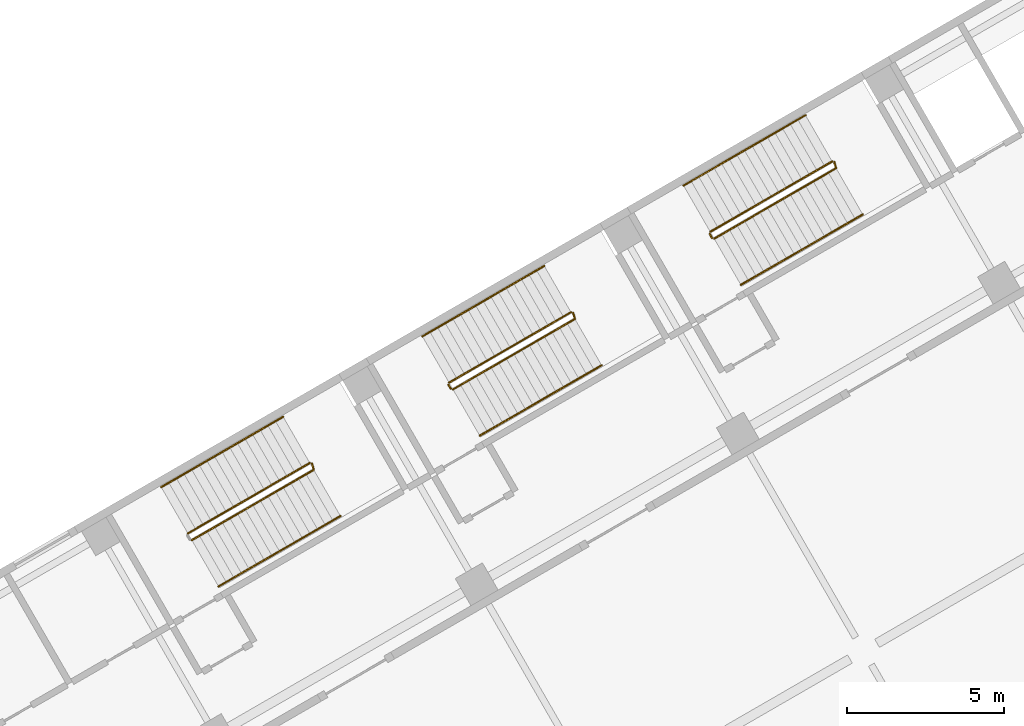
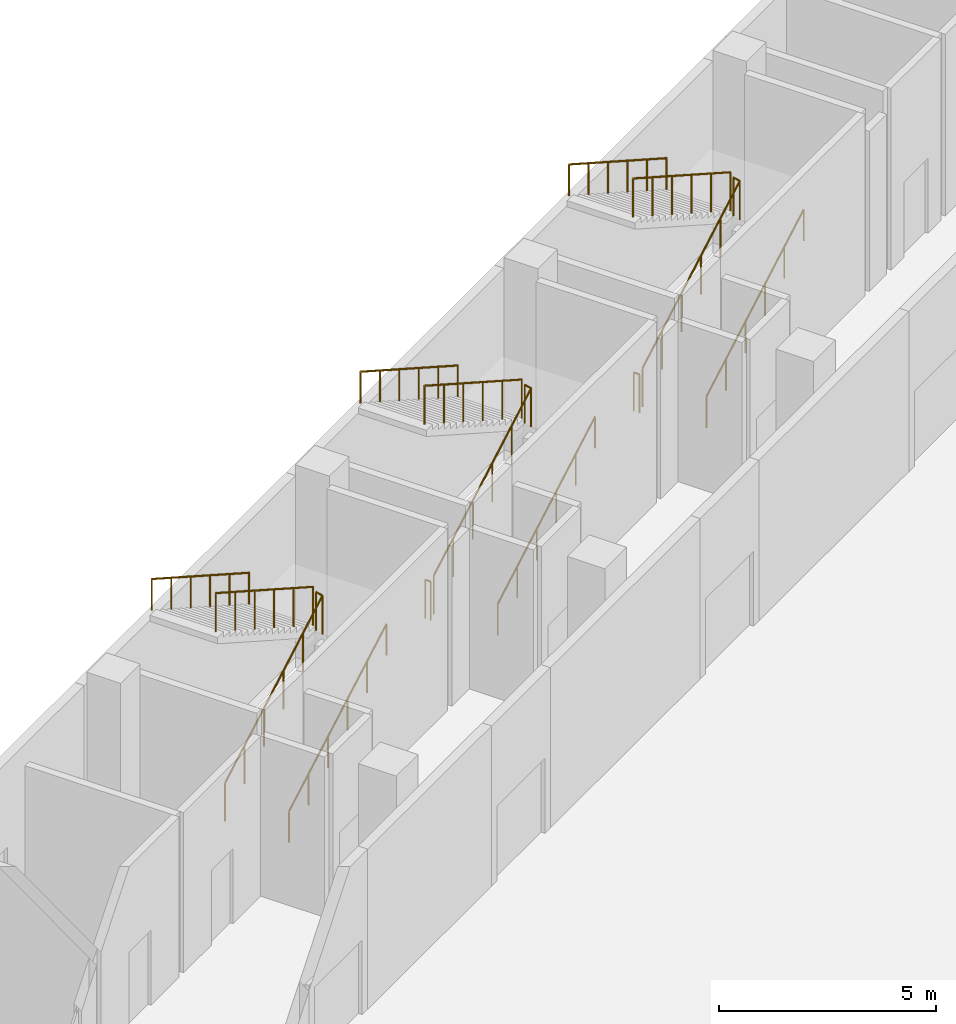
# One storey, part 34 of 35: 14 railings.
"""IFC4 building model written with IfcOpenShell, lengths in metres."""

from ifc_helpers import new_model, si_unit, direction, frame, origin, origin_2d, place, context, subcontext, project, spatial, circle, extrude, material, type_object, element, save


model = new_model("IFC4")

# Units and contexts
model_context = context("Model", 3, precision=1e-05, world=origin(), true_north=direction((0.0, 1.0)))
body_context = subcontext(model_context, "Body", "Model", "MODEL_VIEW")
ifc_project = project(units=[si_unit("LENGTHUNIT", "METRE"), si_unit("AREAUNIT", "SQUARE_METRE"), si_unit("VOLUMEUNIT", "CUBIC_METRE"), si_unit("PLANEANGLEUNIT", "RADIAN"), si_unit("MASSUNIT", "GRAM", prefix="KILO")], contexts=[model_context])

# Site, building, storey
site_placement = place(None, origin())
site = spatial("IfcSite", under=ifc_project, at=site_placement, CompositionType="ELEMENT")
building_placement = place(site_placement, origin())
building = spatial("IfcBuilding", under=site, at=building_placement, Name="Mestral Congress Tower", CompositionType="ELEMENT")
storey_placement = place(building_placement, frame((0.0, 0.0, 6.0)))
storey = spatial("IfcBuildingStorey", under=building, at=storey_placement, Name="L01", CompositionType="ELEMENT", Elevation=6.0)

# Railings
ifc_material_1 = material(Name="Steel balustrade", Category="steel")
railing_type_1 = type_object("IfcRailingType", Name="Podium stair guard 1100", PredefinedType="GUARDRAIL", material=ifc_material_1)
railing_1_placement = place(storey_placement, frame((14.014892578125, 51.681396484375, 0.158935546875)))
element("IfcRailing", 1, at=railing_1_placement, inside=storey, type_object=railing_type_1, Name="L01 PS-E4 stair guard 1", PredefinedType="GUARDRAIL", context=body_context, shape_type="SweptSolid", body=[
    extrude(circle(Radius=0.02392578125, at=origin_2d()), frame((0.0, 0.0, 1.076171875), z_axis=(0.753299937478, 0.434906048726, 0.493351733531), x_axis=(-0.499989762656, 0.866031314237, 0.0)), (0.0, 0.0, 1.0), 5.150634765625),
    extrude(circle(Radius=0.02392578125, at=origin_2d()), frame((3.8798828125, 2.239990234375, 3.6171875), z_axis=(-0.274721127897, 0.961523947641, 0.0), x_axis=(-0.961523947641, -0.274721127897, 0.0)), (0.0, 0.0, 1.0), 0.2060546875),
    extrude(circle(Radius=0.02099609375, at=origin_2d()), origin(), (0.0, 0.0, 1.0), 1.052001953125),
    extrude(circle(Radius=0.02099609375, at=origin_2d()), frame((0.77587890625, 0.447998046875, 0.50830078125)), (0.0, 0.0, 1.0), 1.052001953125),
    extrude(circle(Radius=0.02099609375, at=origin_2d()), frame((1.552001953125, 0.89599609375, 1.016357421875)), (0.0, 0.0, 1.0), 1.052001953125),
    extrude(circle(Radius=0.02099609375, at=origin_2d()), frame((2.327880859375, 1.343994140625, 1.524658203125)), (0.0, 0.0, 1.0), 1.052001953125),
    extrude(circle(Radius=0.02099609375, at=origin_2d()), frame((3.10400390625, 1.7919921875, 2.03271484375)), (0.0, 0.0, 1.0), 1.052001953125),
    extrude(circle(Radius=0.02099609375, at=origin_2d()), frame((3.8798828125, 2.239990234375, 2.541015625)), (0.0, 0.0, 1.0), 1.052001953125),
    extrude(circle(Radius=0.02099609375, at=origin_2d()), frame((3.8232421875, 2.438232421875, 2.541015625)), (0.0, 0.0, 1.0), 1.052001953125),
])
railing_2_placement = place(storey_placement, frame((17.769775390625, 54.137939453125, 2.85888671875)))
element("IfcRailing", 2, at=railing_2_placement, inside=storey, type_object=railing_type_1, Name="L01 PS-E4 stair guard 2", PredefinedType="GUARDRAIL", context=body_context, shape_type="SweptSolid", body=[
    extrude(circle(Radius=0.02392578125, at=origin_2d()), frame((0.0, 0.0, 1.076171875), z_axis=(-0.753299937478, -0.434906048726, 0.493351733531), x_axis=(0.499989762656, -0.866031314237, 0.0)), (0.0, 0.0, 1.0), 5.150634765625),
    extrude(circle(Radius=0.02099609375, at=origin_2d()), origin(), (0.0, 0.0, 1.0), 1.052001953125),
    extrude(circle(Radius=0.02099609375, at=origin_2d()), frame((-0.77587890625, -0.447998046875, 0.50830078125)), (0.0, 0.0, 1.0), 1.052001953125),
    extrude(circle(Radius=0.02099609375, at=origin_2d()), frame((-1.552001953125, -0.89599609375, 1.016357421875)), (0.0, 0.0, 1.0), 1.052001953125),
    extrude(circle(Radius=0.02099609375, at=origin_2d()), frame((-2.327880859375, -1.343994140625, 1.524658203125)), (0.0, 0.0, 1.0), 1.052001953125),
    extrude(circle(Radius=0.02099609375, at=origin_2d()), frame((-3.10400390625, -1.7919921875, 2.03271484375)), (0.0, 0.0, 1.0), 1.052001953125),
    extrude(circle(Radius=0.02099609375, at=origin_2d()), frame((-3.8798828125, -2.239990234375, 2.541015625)), (0.0, 0.0, 1.0), 1.052001953125),
])
railing_3_placement = place(storey_placement, frame((22.328857421875, 56.4814453125, 0.158935546875)))
element("IfcRailing", 3, at=railing_3_placement, inside=storey, type_object=railing_type_1, Name="L01 PS-E5 stair guard 1", PredefinedType="GUARDRAIL", context=body_context, shape_type="SweptSolid", body=[
    extrude(circle(Radius=0.02392578125, at=origin_2d()), frame((0.0, 0.0, 1.076171875), z_axis=(0.7532794335, 0.434921578401, 0.49336935019), x_axis=(-0.500013360201, 0.866017690131, 0.0)), (0.0, 0.0, 1.0), 5.150390625),
    extrude(circle(Radius=0.02392578125, at=origin_2d()), frame((3.879638671875, 2.239990234375, 3.6171875), z_axis=(-0.274721127897, 0.961523947641, 0.0), x_axis=(-0.961523947641, -0.274721127897, 0.0)), (0.0, 0.0, 1.0), 0.2060546875),
    extrude(circle(Radius=0.02099609375, at=origin_2d()), origin(), (0.0, 0.0, 1.0), 1.052001953125),
    extrude(circle(Radius=0.02099609375, at=origin_2d()), frame((0.77587890625, 0.447998046875, 0.50830078125)), (0.0, 0.0, 1.0), 1.052001953125),
    extrude(circle(Radius=0.02099609375, at=origin_2d()), frame((1.5517578125, 0.89599609375, 1.016357421875)), (0.0, 0.0, 1.0), 1.052001953125),
    extrude(circle(Radius=0.02099609375, at=origin_2d()), frame((2.327880859375, 1.343994140625, 1.524658203125)), (0.0, 0.0, 1.0), 1.052001953125),
    extrude(circle(Radius=0.02099609375, at=origin_2d()), frame((3.103759765625, 1.7919921875, 2.03271484375)), (0.0, 0.0, 1.0), 1.052001953125),
    extrude(circle(Radius=0.02099609375, at=origin_2d()), frame((3.879638671875, 2.239990234375, 2.541015625)), (0.0, 0.0, 1.0), 1.052001953125),
    extrude(circle(Radius=0.02099609375, at=origin_2d()), frame((3.822998046875, 2.438232421875, 2.541015625)), (0.0, 0.0, 1.0), 1.052001953125),
])
railing_4_placement = place(storey_placement, frame((26.08349609375, 58.93798828125, 2.85888671875)))
element("IfcRailing", 4, at=railing_4_placement, inside=storey, type_object=railing_type_1, Name="L01 PS-E5 stair guard 2", PredefinedType="GUARDRAIL", context=body_context, shape_type="SweptSolid", body=[
    extrude(circle(Radius=0.02392578125, at=origin_2d()), frame((0.0, 0.0, 1.076171875), z_axis=(-0.7532794335, -0.434921578401, 0.49336935019), x_axis=(0.500013360201, -0.866017690131, 0.0)), (0.0, 0.0, 1.0), 5.150390625),
    extrude(circle(Radius=0.02099609375, at=origin_2d()), origin(), (0.0, 0.0, 1.0), 1.052001953125),
    extrude(circle(Radius=0.02099609375, at=origin_2d()), frame((-0.77587890625, -0.447998046875, 0.50830078125)), (0.0, 0.0, 1.0), 1.052001953125),
    extrude(circle(Radius=0.02099609375, at=origin_2d()), frame((-1.5517578125, -0.89599609375, 1.016357421875)), (0.0, 0.0, 1.0), 1.052001953125),
    extrude(circle(Radius=0.02099609375, at=origin_2d()), frame((-2.327880859375, -1.343994140625, 1.524658203125)), (0.0, 0.0, 1.0), 1.052001953125),
    extrude(circle(Radius=0.02099609375, at=origin_2d()), frame((-3.103759765625, -1.7919921875, 2.03271484375)), (0.0, 0.0, 1.0), 1.052001953125),
    extrude(circle(Radius=0.02099609375, at=origin_2d()), frame((-3.879638671875, -2.239990234375, 2.541015625)), (0.0, 0.0, 1.0), 1.052001953125),
])
railing_5_placement = place(storey_placement, frame((22.260498046875, 56.499755859375, 0.0)))
element("IfcRailing", 5, at=railing_5_placement, inside=storey, type_object=railing_type_1, Name="L01 PS-E5 stair guard 3", PredefinedType="GUARDRAIL", context=body_context, shape_type="SweptSolid", body=[
    extrude(circle(Radius=0.02392578125, at=origin_2d()), frame((0.0, 0.0, 1.076171875), z_axis=(-0.499816412211, 0.866131372301, 0.0), x_axis=(-0.866131372301, -0.499816412211, 0.0)), (0.0, 0.0, 1.0), 0.14990234375),
    extrude(circle(Radius=0.02099609375, at=origin_2d()), origin(), (0.0, 0.0, 1.0), 1.052001953125),
    extrude(circle(Radius=0.02099609375, at=origin_2d()), frame((-0.074951171875, 0.1298828125, 0.0)), (0.0, 0.0, 1.0), 1.052001953125),
])
railing_6_placement = place(storey_placement, frame((30.642578125, 61.281494140625, 0.158935546875)))
element("IfcRailing", 6, at=railing_6_placement, inside=storey, type_object=railing_type_1, Name="L01 PS-E6 stair guard 1", PredefinedType="GUARDRAIL", context=body_context, shape_type="SweptSolid", body=[
    extrude(circle(Radius=0.02392578125, at=origin_2d()), frame((0.0, 0.0, 1.076171875), z_axis=(0.753299937478, 0.434906048726, 0.493351733531), x_axis=(-0.499989762656, 0.866031314237, 0.0)), (0.0, 0.0, 1.0), 5.150634765625),
    extrude(circle(Radius=0.02392578125, at=origin_2d()), frame((3.8798828125, 2.239990234375, 3.6171875), z_axis=(-0.275815366736, 0.96121063429, 0.0), x_axis=(-0.96121063429, -0.275815366736, 0.0)), (0.0, 0.0, 1.0), 0.206298828125),
    extrude(circle(Radius=0.02099609375, at=origin_2d()), origin(), (0.0, 0.0, 1.0), 1.052001953125),
    extrude(circle(Radius=0.02099609375, at=origin_2d()), frame((0.77587890625, 0.447998046875, 0.50830078125)), (0.0, 0.0, 1.0), 1.052001953125),
    extrude(circle(Radius=0.02099609375, at=origin_2d()), frame((1.552001953125, 0.89599609375, 1.016357421875)), (0.0, 0.0, 1.0), 1.052001953125),
    extrude(circle(Radius=0.02099609375, at=origin_2d()), frame((2.327880859375, 1.343994140625, 1.524658203125)), (0.0, 0.0, 1.0), 1.052001953125),
    extrude(circle(Radius=0.02099609375, at=origin_2d()), frame((3.10400390625, 1.7919921875, 2.03271484375)), (0.0, 0.0, 1.0), 1.052001953125),
    extrude(circle(Radius=0.02099609375, at=origin_2d()), frame((3.8798828125, 2.239990234375, 2.541015625)), (0.0, 0.0, 1.0), 1.052001953125),
    extrude(circle(Radius=0.02099609375, at=origin_2d()), frame((3.822998046875, 2.438232421875, 2.541015625)), (0.0, 0.0, 1.0), 1.052001953125),
])
railing_7_placement = place(storey_placement, frame((34.3974609375, 63.738037109375, 2.85888671875)))
element("IfcRailing", 7, at=railing_7_placement, inside=storey, type_object=railing_type_1, Name="L01 PS-E6 stair guard 2", PredefinedType="GUARDRAIL", context=body_context, shape_type="SweptSolid", body=[
    extrude(circle(Radius=0.02392578125, at=origin_2d()), frame((0.0, 0.0, 1.076171875), z_axis=(-0.753299937478, -0.434906048726, 0.493351733531), x_axis=(0.499989762656, -0.866031314237, 0.0)), (0.0, 0.0, 1.0), 5.150634765625),
    extrude(circle(Radius=0.02099609375, at=origin_2d()), origin(), (0.0, 0.0, 1.0), 1.052001953125),
    extrude(circle(Radius=0.02099609375, at=origin_2d()), frame((-0.77587890625, -0.447998046875, 0.50830078125)), (0.0, 0.0, 1.0), 1.052001953125),
    extrude(circle(Radius=0.02099609375, at=origin_2d()), frame((-1.552001953125, -0.89599609375, 1.016357421875)), (0.0, 0.0, 1.0), 1.052001953125),
    extrude(circle(Radius=0.02099609375, at=origin_2d()), frame((-2.327880859375, -1.343994140625, 1.524658203125)), (0.0, 0.0, 1.0), 1.052001953125),
    extrude(circle(Radius=0.02099609375, at=origin_2d()), frame((-3.10400390625, -1.7919921875, 2.03271484375)), (0.0, 0.0, 1.0), 1.052001953125),
    extrude(circle(Radius=0.02099609375, at=origin_2d()), frame((-3.8798828125, -2.239990234375, 2.541015625)), (0.0, 0.0, 1.0), 1.052001953125),
])
railing_8_placement = place(storey_placement, frame((30.57421875, 61.2998046875, 0.0)))
element("IfcRailing", 8, at=railing_8_placement, inside=storey, type_object=railing_type_1, Name="L01 PS-E6 stair guard 3", PredefinedType="GUARDRAIL", context=body_context, shape_type="SweptSolid", body=[
    extrude(circle(Radius=0.02392578125, at=origin_2d()), frame((0.0, 0.0, 1.076171875), z_axis=(-0.499816412211, 0.866131372301, 0.0), x_axis=(-0.866131372301, -0.499816412211, 0.0)), (0.0, 0.0, 1.0), 0.14990234375),
    extrude(circle(Radius=0.02099609375, at=origin_2d()), origin(), (0.0, 0.0, 1.0), 1.052001953125),
    extrude(circle(Radius=0.02099609375, at=origin_2d()), frame((-0.074951171875, 0.1298828125, 0.0)), (0.0, 0.0, 1.0), 1.052001953125),
])
ifc_material_2 = material(Name="Steel handrail", Category="steel")
railing_type_2 = type_object("IfcRailingType", Name="Podium stair handrail 900", PredefinedType="HANDRAIL", material=ifc_material_2)
railing_9_placement = place(storey_placement, frame((14.864990234375, 50.209228515625, 0.158935546875)))
element("IfcRailing", 9, at=railing_9_placement, inside=storey, type_object=railing_type_2, Name="L01 PS-E4 stair handrail 1", PredefinedType="HANDRAIL", context=body_context, shape_type="SweptSolid", body=[
    extrude(circle(Radius=0.02392578125, at=origin_2d()), frame((0.0, 0.0, 0.8759765625), z_axis=(0.7532794335, 0.434921578401, 0.49336935019), x_axis=(-0.500013360201, 0.866017690131, 0.0)), (0.0, 0.0, 1.0), 5.150390625),
    extrude(circle(Radius=0.02099609375, at=origin_2d()), origin(), (0.0, 0.0, 1.0), 0.851806640625),
    extrude(circle(Radius=0.02099609375, at=origin_2d()), frame((0.77587890625, 0.447998046875, 0.50830078125)), (0.0, 0.0, 1.0), 0.851806640625),
    extrude(circle(Radius=0.02099609375, at=origin_2d()), frame((1.5517578125, 0.89599609375, 1.016357421875)), (0.0, 0.0, 1.0), 0.851806640625),
    extrude(circle(Radius=0.02099609375, at=origin_2d()), frame((2.327880859375, 1.343994140625, 1.524658203125)), (0.0, 0.0, 1.0), 0.851806640625),
    extrude(circle(Radius=0.02099609375, at=origin_2d()), frame((3.103759765625, 1.7919921875, 2.03271484375)), (0.0, 0.0, 1.0), 0.851806640625),
    extrude(circle(Radius=0.02099609375, at=origin_2d()), frame((3.879638671875, 2.239990234375, 2.541015625)), (0.0, 0.0, 1.0), 0.851806640625),
])
railing_10_placement = place(storey_placement, frame((16.919677734375, 55.610107421875, 2.85888671875)))
element("IfcRailing", 10, at=railing_10_placement, inside=storey, type_object=railing_type_2, Name="L01 PS-E4 stair handrail 2", PredefinedType="HANDRAIL", context=body_context, shape_type="SweptSolid", body=[
    extrude(circle(Radius=0.02392578125, at=origin_2d()), frame((0.0, 0.0, 0.8759765625), z_axis=(-0.7532794335, -0.434921578401, 0.49336935019), x_axis=(0.500013360201, -0.866017690131, 0.0)), (0.0, 0.0, 1.0), 5.150390625),
    extrude(circle(Radius=0.02099609375, at=origin_2d()), origin(), (0.0, 0.0, 1.0), 0.851806640625),
    extrude(circle(Radius=0.02099609375, at=origin_2d()), frame((-0.77587890625, -0.447998046875, 0.50830078125)), (0.0, 0.0, 1.0), 0.851806640625),
    extrude(circle(Radius=0.02099609375, at=origin_2d()), frame((-1.5517578125, -0.89599609375, 1.016357421875)), (0.0, 0.0, 1.0), 0.851806640625),
    extrude(circle(Radius=0.02099609375, at=origin_2d()), frame((-2.327880859375, -1.343994140625, 1.524658203125)), (0.0, 0.0, 1.0), 0.851806640625),
    extrude(circle(Radius=0.02099609375, at=origin_2d()), frame((-3.103759765625, -1.7919921875, 2.03271484375)), (0.0, 0.0, 1.0), 0.851806640625),
    extrude(circle(Radius=0.02099609375, at=origin_2d()), frame((-3.879638671875, -2.239990234375, 2.541015625)), (0.0, 0.0, 1.0), 0.851806640625),
])
railing_11_placement = place(storey_placement, frame((23.1787109375, 55.00927734375, 0.158935546875)))
element("IfcRailing", 11, at=railing_11_placement, inside=storey, type_object=railing_type_2, Name="L01 PS-E5 stair handrail 1", PredefinedType="HANDRAIL", context=body_context, shape_type="SweptSolid", body=[
    extrude(circle(Radius=0.02392578125, at=origin_2d()), frame((0.0, 0.0, 0.8759765625), z_axis=(0.753299937478, 0.434906048726, 0.493351733531), x_axis=(-0.499989762656, 0.866031314237, 0.0)), (0.0, 0.0, 1.0), 5.150634765625),
    extrude(circle(Radius=0.02099609375, at=origin_2d()), origin(), (0.0, 0.0, 1.0), 0.851806640625),
    extrude(circle(Radius=0.02099609375, at=origin_2d()), frame((0.77587890625, 0.447998046875, 0.50830078125)), (0.0, 0.0, 1.0), 0.851806640625),
    extrude(circle(Radius=0.02099609375, at=origin_2d()), frame((1.552001953125, 0.89599609375, 1.016357421875)), (0.0, 0.0, 1.0), 0.851806640625),
    extrude(circle(Radius=0.02099609375, at=origin_2d()), frame((2.327880859375, 1.343994140625, 1.524658203125)), (0.0, 0.0, 1.0), 0.851806640625),
    extrude(circle(Radius=0.02099609375, at=origin_2d()), frame((3.10400390625, 1.7919921875, 2.03271484375)), (0.0, 0.0, 1.0), 0.851806640625),
    extrude(circle(Radius=0.02099609375, at=origin_2d()), frame((3.8798828125, 2.239990234375, 2.541015625)), (0.0, 0.0, 1.0), 0.851806640625),
])
railing_12_placement = place(storey_placement, frame((25.233642578125, 60.41015625, 2.85888671875)))
element("IfcRailing", 12, at=railing_12_placement, inside=storey, type_object=railing_type_2, Name="L01 PS-E5 stair handrail 2", PredefinedType="HANDRAIL", context=body_context, shape_type="SweptSolid", body=[
    extrude(circle(Radius=0.02392578125, at=origin_2d()), frame((0.0, 0.0, 0.8759765625), z_axis=(-0.753299937478, -0.434906048726, 0.493351733531), x_axis=(0.499989762656, -0.866031314237, 0.0)), (0.0, 0.0, 1.0), 5.150634765625),
    extrude(circle(Radius=0.02099609375, at=origin_2d()), origin(), (0.0, 0.0, 1.0), 0.851806640625),
    extrude(circle(Radius=0.02099609375, at=origin_2d()), frame((-0.77587890625, -0.447998046875, 0.50830078125)), (0.0, 0.0, 1.0), 0.851806640625),
    extrude(circle(Radius=0.02099609375, at=origin_2d()), frame((-1.552001953125, -0.89599609375, 1.016357421875)), (0.0, 0.0, 1.0), 0.851806640625),
    extrude(circle(Radius=0.02099609375, at=origin_2d()), frame((-2.327880859375, -1.343994140625, 1.524658203125)), (0.0, 0.0, 1.0), 0.851806640625),
    extrude(circle(Radius=0.02099609375, at=origin_2d()), frame((-3.10400390625, -1.7919921875, 2.03271484375)), (0.0, 0.0, 1.0), 0.851806640625),
    extrude(circle(Radius=0.02099609375, at=origin_2d()), frame((-3.8798828125, -2.239990234375, 2.541015625)), (0.0, 0.0, 1.0), 0.851806640625),
])
railing_13_placement = place(storey_placement, frame((31.492431640625, 59.80908203125, 0.158935546875)))
element("IfcRailing", 13, at=railing_13_placement, inside=storey, type_object=railing_type_2, Name="L01 PS-E6 stair handrail 1", PredefinedType="HANDRAIL", context=body_context, shape_type="SweptSolid", body=[
    extrude(circle(Radius=0.02392578125, at=origin_2d()), frame((0.0, 0.0, 0.8759765625), z_axis=(0.75328440778, 0.434944483123, 0.49334156281), x_axis=(-0.500030632641, 0.866007717299, 0.0)), (0.0, 0.0, 1.0), 5.150634765625),
    extrude(circle(Radius=0.02099609375, at=origin_2d()), origin(), (0.0, 0.0, 1.0), 0.851806640625),
    extrude(circle(Radius=0.02099609375, at=origin_2d()), frame((0.77587890625, 0.447998046875, 0.50830078125)), (0.0, 0.0, 1.0), 0.851806640625),
    extrude(circle(Radius=0.02099609375, at=origin_2d()), frame((1.552001953125, 0.89599609375, 1.016357421875)), (0.0, 0.0, 1.0), 0.851806640625),
    extrude(circle(Radius=0.02099609375, at=origin_2d()), frame((2.327880859375, 1.34423828125, 1.524658203125)), (0.0, 0.0, 1.0), 0.851806640625),
    extrude(circle(Radius=0.02099609375, at=origin_2d()), frame((3.10400390625, 1.792236328125, 2.03271484375)), (0.0, 0.0, 1.0), 0.851806640625),
    extrude(circle(Radius=0.02099609375, at=origin_2d()), frame((3.8798828125, 2.240234375, 2.541015625)), (0.0, 0.0, 1.0), 0.851806640625),
])
railing_14_placement = place(storey_placement, frame((33.54736328125, 65.210205078125, 2.85888671875)))
element("IfcRailing", 14, at=railing_14_placement, inside=storey, type_object=railing_type_2, Name="L01 PS-E6 stair handrail 2", PredefinedType="HANDRAIL", context=body_context, shape_type="SweptSolid", body=[
    extrude(circle(Radius=0.02392578125, at=origin_2d()), frame((0.0, 0.0, 0.8759765625), z_axis=(-0.753299937478, -0.434906048726, 0.493351733531), x_axis=(0.499989762656, -0.866031314237, 0.0)), (0.0, 0.0, 1.0), 5.150634765625),
    extrude(circle(Radius=0.02099609375, at=origin_2d()), origin(), (0.0, 0.0, 1.0), 0.851806640625),
    extrude(circle(Radius=0.02099609375, at=origin_2d()), frame((-0.77587890625, -0.447998046875, 0.50830078125)), (0.0, 0.0, 1.0), 0.851806640625),
    extrude(circle(Radius=0.02099609375, at=origin_2d()), frame((-1.552001953125, -0.89599609375, 1.016357421875)), (0.0, 0.0, 1.0), 0.851806640625),
    extrude(circle(Radius=0.02099609375, at=origin_2d()), frame((-2.327880859375, -1.343994140625, 1.524658203125)), (0.0, 0.0, 1.0), 0.851806640625),
    extrude(circle(Radius=0.02099609375, at=origin_2d()), frame((-3.10400390625, -1.7919921875, 2.03271484375)), (0.0, 0.0, 1.0), 0.851806640625),
    extrude(circle(Radius=0.02099609375, at=origin_2d()), frame((-3.8798828125, -2.239990234375, 2.541015625)), (0.0, 0.0, 1.0), 0.851806640625),
])

save(model, "model.ifc")
